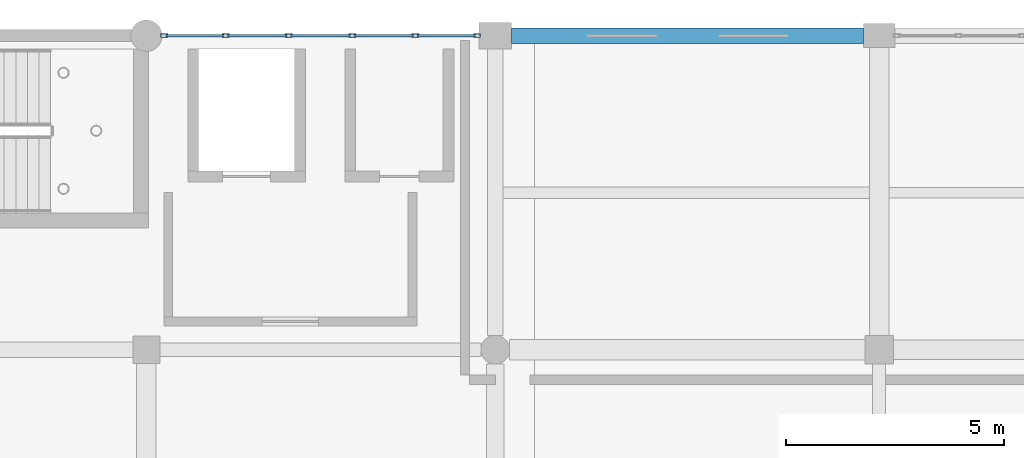
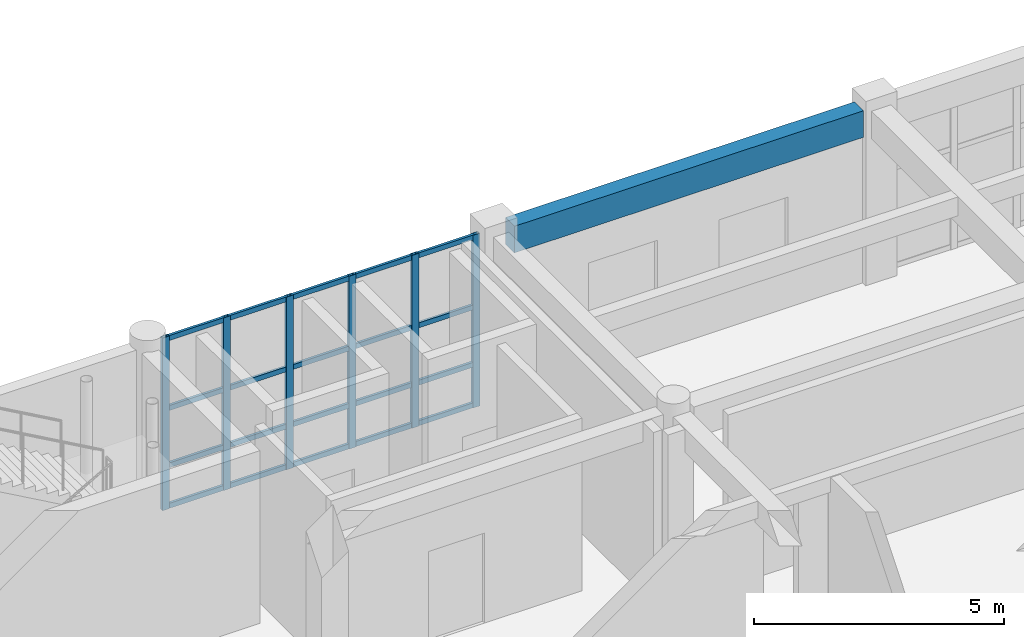
# One storey, part 81 of 160: 26 members, 1 beam, 1 element without a shape of its own.
"""IFC4 building model written with IfcOpenShell, lengths in metres."""

from ifc_helpers import new_model, si_unit, direction, frame, origin, origin_2d, place, context, subcontext, project, spatial, rectangle, hollow_rectangle, extrude, material, material_profile, profile_set, type_object, element, aggregate, save


model = new_model("IFC4")

# Units and contexts
model_context = context("Model", 3, precision=1e-05, world=origin(), true_north=direction((0.0, 1.0)))
body_context = subcontext(model_context, "Body", "Model", "MODEL_VIEW")
ifc_project = project(units=[si_unit("LENGTHUNIT", "METRE"), si_unit("AREAUNIT", "SQUARE_METRE"), si_unit("VOLUMEUNIT", "CUBIC_METRE"), si_unit("PLANEANGLEUNIT", "RADIAN"), si_unit("MASSUNIT", "GRAM", prefix="KILO")], contexts=[model_context])

# Site, building, storey
site_placement = place(None, origin())
site = spatial("IfcSite", under=ifc_project, at=site_placement, CompositionType="ELEMENT")
building_placement = place(site_placement, origin())
building = spatial("IfcBuilding", under=site, at=building_placement, Name="Kharva Crest Polytechnic", CompositionType="ELEMENT")
storey_placement = place(building_placement, frame((0.0, 0.0, 4.5)))
storey = spatial("IfcBuildingStorey", under=building, at=storey_placement, Name="L01", CompositionType="ELEMENT", Elevation=4.5)

# Curtain wall, members
ifc_material_1 = material(Name="Tempered insulated glass", Category="glass")
curtain_wall_type = type_object("IfcCurtainWallType", Name="CW-SYS-COURT", PredefinedType="USERDEFINED", material=ifc_material_1)
curtain_wall_placement = place(storey_placement, origin())
curtain_wall = element("IfcCurtainWall", 1, at=curtain_wall_placement, inside=storey, type_object=curtain_wall_type, Name="L01 Glazed Curtain Wall CW-073", ObjectType="CURTAIN WALL", PredefinedType="USERDEFINED")
ifc_material_2 = material(Name="Steel S355", Category="steel")
ifc_material_profile_1 = material_profile(ifc_material_2, hollow_rectangle(XDim=0.080078125, YDim=0.159912109375, WallThickness=0.0048828125, at=origin_2d()), Name="RHS 160X80X5.0")
ifc_profile_set_1 = profile_set([ifc_material_profile_1], Name="Steel S355")
member_type_1 = type_object("IfcMemberType", Name="CWM-RHS160X80", PredefinedType="MULLION", material=ifc_profile_set_1)
member_1_placement = place(storey_placement, frame((119.580078125, 122.0, 0.0), z_axis=(0.0, 0.0, 1.0), x_axis=(0.0, -1.0, 0.0)))
member_1 = element("IfcMember", 2, at=member_1_placement, type_object=member_type_1, Name="CW-073 mullion 1", PredefinedType="MULLION", context=body_context, shape_type="SweptSolid", body=[
    extrude(hollow_rectangle(XDim=0.080078125, YDim=0.159912109375, WallThickness=0.0048828125, at=origin_2d()), origin(), (0.0, 0.0, 1.0), 4.219970703125),
])
member_2_placement = place(storey_placement, frame((118.1689453125, 122.0, 0.0), z_axis=(0.0, 0.0, 1.0), x_axis=(0.0, -1.0, 0.0)))
member_2 = element("IfcMember", 3, at=member_2_placement, type_object=member_type_1, Name="CW-073 mullion 2", PredefinedType="MULLION", context=body_context, shape_type="SweptSolid", body=[
    extrude(hollow_rectangle(XDim=0.080078125, YDim=0.159912109375, WallThickness=0.0048828125, at=origin_2d()), origin(), (0.0, 0.0, 1.0), 4.219970703125),
])
member_3_placement = place(storey_placement, frame((116.718017578125, 122.0, 0.0), z_axis=(0.0, 0.0, 1.0), x_axis=(0.0, -1.0, 0.0)))
member_3 = element("IfcMember", 4, at=member_3_placement, type_object=member_type_1, Name="CW-073 mullion 3", PredefinedType="MULLION", context=body_context, shape_type="SweptSolid", body=[
    extrude(hollow_rectangle(XDim=0.080078125, YDim=0.159912109375, WallThickness=0.0048828125, at=origin_2d()), origin(), (0.0, 0.0, 1.0), 4.219970703125),
])
member_4_placement = place(storey_placement, frame((115.26708984375, 122.0, 0.0), z_axis=(0.0, 0.0, 1.0), x_axis=(0.0, -1.0, 0.0)))
member_4 = element("IfcMember", 5, at=member_4_placement, type_object=member_type_1, Name="CW-073 mullion 4", PredefinedType="MULLION", context=body_context, shape_type="SweptSolid", body=[
    extrude(hollow_rectangle(XDim=0.080078125, YDim=0.159912109375, WallThickness=0.0048828125, at=origin_2d()), origin(), (0.0, 0.0, 1.0), 4.219970703125),
])
member_5_placement = place(storey_placement, frame((113.81591796875, 122.0, 0.0), z_axis=(0.0, 0.0, 1.0), x_axis=(0.0, -1.0, 0.0)))
member_5 = element("IfcMember", 6, at=member_5_placement, type_object=member_type_1, Name="CW-073 mullion 5", PredefinedType="MULLION", context=body_context, shape_type="SweptSolid", body=[
    extrude(hollow_rectangle(XDim=0.080078125, YDim=0.159912109375, WallThickness=0.0048828125, at=origin_2d()), origin(), (0.0, 0.0, 1.0), 4.219970703125),
])
member_6_placement = place(storey_placement, frame((112.405029296875, 122.0, 0.0), z_axis=(0.0, 0.0, 1.0), x_axis=(0.0, -1.0, 0.0)))
member_6 = element("IfcMember", 7, at=member_6_placement, type_object=member_type_1, Name="CW-073 mullion 6", PredefinedType="MULLION", context=body_context, shape_type="SweptSolid", body=[
    extrude(hollow_rectangle(XDim=0.080078125, YDim=0.159912109375, WallThickness=0.0048828125, at=origin_2d()), origin(), (0.0, 0.0, 1.0), 4.219970703125),
])
ifc_material_profile_2 = material_profile(ifc_material_2, hollow_rectangle(XDim=0.06005859375, YDim=0.1201171875, WallThickness=0.00390625, at=origin_2d()), Name="RHS 120X60X4.0")
ifc_profile_set_2 = profile_set([ifc_material_profile_2], Name="Steel S355")
member_type_2 = type_object("IfcMemberType", Name="CWT-RHS120X60", PredefinedType="USERDEFINED", material=ifc_profile_set_2)
member_7_placement = place(storey_placement, frame((119.5400390625, 122.0, 0.06005859375), z_axis=(-1.0, 0.0, 0.0), x_axis=(0.0, -1.0, 0.0)))
member_7 = element("IfcMember", 8, at=member_7_placement, type_object=member_type_2, Name="CW-073 transom 1.1", ObjectType="TRANSOM", PredefinedType="USERDEFINED", context=body_context, shape_type="SweptSolid", body=[
    extrude(hollow_rectangle(XDim=0.06005859375, YDim=0.1201171875, WallThickness=0.00390625, at=origin_2d()), origin(), (0.0, 0.0, 1.0), 1.3310546875),
])
member_8_placement = place(storey_placement, frame((119.5400390625, 122.0, 1.050048828125), z_axis=(-1.0, 0.0, 0.0), x_axis=(0.0, -1.0, 0.0)))
member_8 = element("IfcMember", 9, at=member_8_placement, type_object=member_type_2, Name="CW-073 transom 1.2", ObjectType="TRANSOM", PredefinedType="USERDEFINED", context=body_context, shape_type="SweptSolid", body=[
    extrude(hollow_rectangle(XDim=0.06005859375, YDim=0.1201171875, WallThickness=0.00390625, at=origin_2d()), origin(), (0.0, 0.0, 1.0), 1.3310546875),
])
member_9_placement = place(storey_placement, frame((119.5400390625, 122.0, 2.449951171875), z_axis=(-1.0, 0.0, 0.0), x_axis=(0.0, -1.0, 0.0)))
member_9 = element("IfcMember", 10, at=member_9_placement, type_object=member_type_2, Name="CW-073 transom 1.3", ObjectType="TRANSOM", PredefinedType="USERDEFINED", context=body_context, shape_type="SweptSolid", body=[
    extrude(hollow_rectangle(XDim=0.06005859375, YDim=0.1201171875, WallThickness=0.00390625, at=origin_2d()), origin(), (0.0, 0.0, 1.0), 1.3310546875),
])
member_10_placement = place(storey_placement, frame((119.5400390625, 122.0, 4.159912109375), z_axis=(-1.0, 0.0, 0.0), x_axis=(0.0, -1.0, 0.0)))
member_10 = element("IfcMember", 11, at=member_10_placement, type_object=member_type_2, Name="CW-073 transom 1.4", ObjectType="TRANSOM", PredefinedType="USERDEFINED", context=body_context, shape_type="SweptSolid", body=[
    extrude(hollow_rectangle(XDim=0.06005859375, YDim=0.1201171875, WallThickness=0.00390625, at=origin_2d()), origin(), (0.0, 0.0, 1.0), 1.3310546875),
])
member_11_placement = place(storey_placement, frame((118.12890625, 122.0, 0.06005859375), z_axis=(-1.0, 0.0, 0.0), x_axis=(0.0, -1.0, 0.0)))
member_11 = element("IfcMember", 12, at=member_11_placement, type_object=member_type_2, Name="CW-073 transom 2.1", ObjectType="TRANSOM", PredefinedType="USERDEFINED", context=body_context, shape_type="SweptSolid", body=[
    extrude(hollow_rectangle(XDim=0.06005859375, YDim=0.1201171875, WallThickness=0.00390625, at=origin_2d()), origin(), (0.0, 0.0, 1.0), 1.370849609375),
])
member_12_placement = place(storey_placement, frame((118.12890625, 122.0, 1.050048828125), z_axis=(-1.0, 0.0, 0.0), x_axis=(0.0, -1.0, 0.0)))
member_12 = element("IfcMember", 13, at=member_12_placement, type_object=member_type_2, Name="CW-073 transom 2.2", ObjectType="TRANSOM", PredefinedType="USERDEFINED", context=body_context, shape_type="SweptSolid", body=[
    extrude(hollow_rectangle(XDim=0.06005859375, YDim=0.1201171875, WallThickness=0.00390625, at=origin_2d()), origin(), (0.0, 0.0, 1.0), 1.370849609375),
])
member_13_placement = place(storey_placement, frame((118.12890625, 122.0, 2.449951171875), z_axis=(-1.0, 0.0, 0.0), x_axis=(0.0, -1.0, 0.0)))
member_13 = element("IfcMember", 14, at=member_13_placement, type_object=member_type_2, Name="CW-073 transom 2.3", ObjectType="TRANSOM", PredefinedType="USERDEFINED", context=body_context, shape_type="SweptSolid", body=[
    extrude(hollow_rectangle(XDim=0.06005859375, YDim=0.1201171875, WallThickness=0.00390625, at=origin_2d()), origin(), (0.0, 0.0, 1.0), 1.370849609375),
])
member_14_placement = place(storey_placement, frame((118.12890625, 122.0, 4.159912109375), z_axis=(-1.0, 0.0, 0.0), x_axis=(0.0, -1.0, 0.0)))
member_14 = element("IfcMember", 15, at=member_14_placement, type_object=member_type_2, Name="CW-073 transom 2.4", ObjectType="TRANSOM", PredefinedType="USERDEFINED", context=body_context, shape_type="SweptSolid", body=[
    extrude(hollow_rectangle(XDim=0.06005859375, YDim=0.1201171875, WallThickness=0.00390625, at=origin_2d()), origin(), (0.0, 0.0, 1.0), 1.370849609375),
])
member_15_placement = place(storey_placement, frame((116.677978515625, 122.0, 0.06005859375), z_axis=(-1.0, 0.0, 0.0), x_axis=(0.0, -1.0, 0.0)))
member_15 = element("IfcMember", 16, at=member_15_placement, type_object=member_type_2, Name="CW-073 transom 3.1", ObjectType="TRANSOM", PredefinedType="USERDEFINED", context=body_context, shape_type="SweptSolid", body=[
    extrude(hollow_rectangle(XDim=0.06005859375, YDim=0.1201171875, WallThickness=0.00390625, at=origin_2d()), origin(), (0.0, 0.0, 1.0), 1.37109375),
])
member_16_placement = place(storey_placement, frame((116.677978515625, 122.0, 1.050048828125), z_axis=(-1.0, 0.0, 0.0), x_axis=(0.0, -1.0, 0.0)))
member_16 = element("IfcMember", 17, at=member_16_placement, type_object=member_type_2, Name="CW-073 transom 3.2", ObjectType="TRANSOM", PredefinedType="USERDEFINED", context=body_context, shape_type="SweptSolid", body=[
    extrude(hollow_rectangle(XDim=0.06005859375, YDim=0.1201171875, WallThickness=0.00390625, at=origin_2d()), origin(), (0.0, 0.0, 1.0), 1.37109375),
])
member_17_placement = place(storey_placement, frame((116.677978515625, 122.0, 2.449951171875), z_axis=(-1.0, 0.0, 0.0), x_axis=(0.0, -1.0, 0.0)))
member_17 = element("IfcMember", 18, at=member_17_placement, type_object=member_type_2, Name="CW-073 transom 3.3", ObjectType="TRANSOM", PredefinedType="USERDEFINED", context=body_context, shape_type="SweptSolid", body=[
    extrude(hollow_rectangle(XDim=0.06005859375, YDim=0.1201171875, WallThickness=0.00390625, at=origin_2d()), origin(), (0.0, 0.0, 1.0), 1.37109375),
])
member_18_placement = place(storey_placement, frame((116.677978515625, 122.0, 4.159912109375), z_axis=(-1.0, 0.0, 0.0), x_axis=(0.0, -1.0, 0.0)))
member_18 = element("IfcMember", 19, at=member_18_placement, type_object=member_type_2, Name="CW-073 transom 3.4", ObjectType="TRANSOM", PredefinedType="USERDEFINED", context=body_context, shape_type="SweptSolid", body=[
    extrude(hollow_rectangle(XDim=0.06005859375, YDim=0.1201171875, WallThickness=0.00390625, at=origin_2d()), origin(), (0.0, 0.0, 1.0), 1.37109375),
])
member_19_placement = place(storey_placement, frame((115.22705078125, 122.0, 0.06005859375), z_axis=(-1.0, 0.0, 0.0), x_axis=(0.0, -1.0, 0.0)))
member_19 = element("IfcMember", 20, at=member_19_placement, type_object=member_type_2, Name="CW-073 transom 4.1", ObjectType="TRANSOM", PredefinedType="USERDEFINED", context=body_context, shape_type="SweptSolid", body=[
    extrude(hollow_rectangle(XDim=0.06005859375, YDim=0.1201171875, WallThickness=0.00390625, at=origin_2d()), origin(), (0.0, 0.0, 1.0), 1.37109375),
])
member_20_placement = place(storey_placement, frame((115.22705078125, 122.0, 1.050048828125), z_axis=(-1.0, 0.0, 0.0), x_axis=(0.0, -1.0, 0.0)))
member_20 = element("IfcMember", 21, at=member_20_placement, type_object=member_type_2, Name="CW-073 transom 4.2", ObjectType="TRANSOM", PredefinedType="USERDEFINED", context=body_context, shape_type="SweptSolid", body=[
    extrude(hollow_rectangle(XDim=0.06005859375, YDim=0.1201171875, WallThickness=0.00390625, at=origin_2d()), origin(), (0.0, 0.0, 1.0), 1.37109375),
])
member_21_placement = place(storey_placement, frame((115.22705078125, 122.0, 2.449951171875), z_axis=(-1.0, 0.0, 0.0), x_axis=(0.0, -1.0, 0.0)))
member_21 = element("IfcMember", 22, at=member_21_placement, type_object=member_type_2, Name="CW-073 transom 4.3", ObjectType="TRANSOM", PredefinedType="USERDEFINED", context=body_context, shape_type="SweptSolid", body=[
    extrude(hollow_rectangle(XDim=0.06005859375, YDim=0.1201171875, WallThickness=0.00390625, at=origin_2d()), origin(), (0.0, 0.0, 1.0), 1.37109375),
])
member_22_placement = place(storey_placement, frame((115.22705078125, 122.0, 4.159912109375), z_axis=(-1.0, 0.0, 0.0), x_axis=(0.0, -1.0, 0.0)))
member_22 = element("IfcMember", 23, at=member_22_placement, type_object=member_type_2, Name="CW-073 transom 4.4", ObjectType="TRANSOM", PredefinedType="USERDEFINED", context=body_context, shape_type="SweptSolid", body=[
    extrude(hollow_rectangle(XDim=0.06005859375, YDim=0.1201171875, WallThickness=0.00390625, at=origin_2d()), origin(), (0.0, 0.0, 1.0), 1.37109375),
])
member_23_placement = place(storey_placement, frame((113.77587890625, 122.0, 0.06005859375), z_axis=(-1.0, 0.0, 0.0), x_axis=(0.0, -1.0, 0.0)))
member_23 = element("IfcMember", 24, at=member_23_placement, type_object=member_type_2, Name="CW-073 transom 5.1", ObjectType="TRANSOM", PredefinedType="USERDEFINED", context=body_context, shape_type="SweptSolid", body=[
    extrude(hollow_rectangle(XDim=0.06005859375, YDim=0.1201171875, WallThickness=0.00390625, at=origin_2d()), origin(), (0.0, 0.0, 1.0), 1.330810546875),
])
member_24_placement = place(storey_placement, frame((113.77587890625, 122.0, 1.050048828125), z_axis=(-1.0, 0.0, 0.0), x_axis=(0.0, -1.0, 0.0)))
member_24 = element("IfcMember", 25, at=member_24_placement, type_object=member_type_2, Name="CW-073 transom 5.2", ObjectType="TRANSOM", PredefinedType="USERDEFINED", context=body_context, shape_type="SweptSolid", body=[
    extrude(hollow_rectangle(XDim=0.06005859375, YDim=0.1201171875, WallThickness=0.00390625, at=origin_2d()), origin(), (0.0, 0.0, 1.0), 1.330810546875),
])
member_25_placement = place(storey_placement, frame((113.77587890625, 122.0, 2.449951171875), z_axis=(-1.0, 0.0, 0.0), x_axis=(0.0, -1.0, 0.0)))
member_25 = element("IfcMember", 26, at=member_25_placement, type_object=member_type_2, Name="CW-073 transom 5.3", ObjectType="TRANSOM", PredefinedType="USERDEFINED", context=body_context, shape_type="SweptSolid", body=[
    extrude(hollow_rectangle(XDim=0.06005859375, YDim=0.1201171875, WallThickness=0.00390625, at=origin_2d()), origin(), (0.0, 0.0, 1.0), 1.330810546875),
])
member_26_placement = place(storey_placement, frame((113.77587890625, 122.0, 4.159912109375), z_axis=(-1.0, 0.0, 0.0), x_axis=(0.0, -1.0, 0.0)))
member_26 = element("IfcMember", 27, at=member_26_placement, type_object=member_type_2, Name="CW-073 transom 5.4", ObjectType="TRANSOM", PredefinedType="USERDEFINED", context=body_context, shape_type="SweptSolid", body=[
    extrude(hollow_rectangle(XDim=0.06005859375, YDim=0.1201171875, WallThickness=0.00390625, at=origin_2d()), origin(), (0.0, 0.0, 1.0), 1.330810546875),
])
aggregate(curtain_wall, [member_1, member_2, member_3, member_4, member_5, member_6, member_7, member_8, member_9, member_10, member_11, member_12, member_13, member_14, member_15, member_16, member_17, member_18, member_19, member_20, member_21, member_22, member_23, member_24, member_25, member_26])

# Beam
ifc_material_3 = material(Name="Concrete C35/45", Category="concrete")
ifc_material_profile_3 = material_profile(ifc_material_3, rectangle(XDim=0.360107421875, YDim=0.64990234375, at=origin_2d()), Name="RECT 360 X 650")
ifc_profile_set_3 = profile_set([ifc_material_profile_3], Name="Concrete C35/45")
beam_type = type_object("IfcBeamType", Name="SP-RC-360X650", PredefinedType="SPANDREL", material=ifc_profile_set_3)
beam_placement = place(storey_placement, frame((120.375, 122.0, 3.89501953125), z_axis=(1.0, 0.0, 0.0), x_axis=(0.0, 1.0, 0.0)))
element("IfcBeam", 28, at=beam_placement, inside=storey, type_object=beam_type, Name="L01 Beam S/16-17", PredefinedType="SPANDREL", context=body_context, shape_type="SweptSolid", body=[
    extrude(rectangle(XDim=0.360107421875, YDim=0.64990234375, at=origin_2d()), origin(), (0.0, 0.0, 1.0), 8.06494140625),
])

save(model, "model.ifc")
